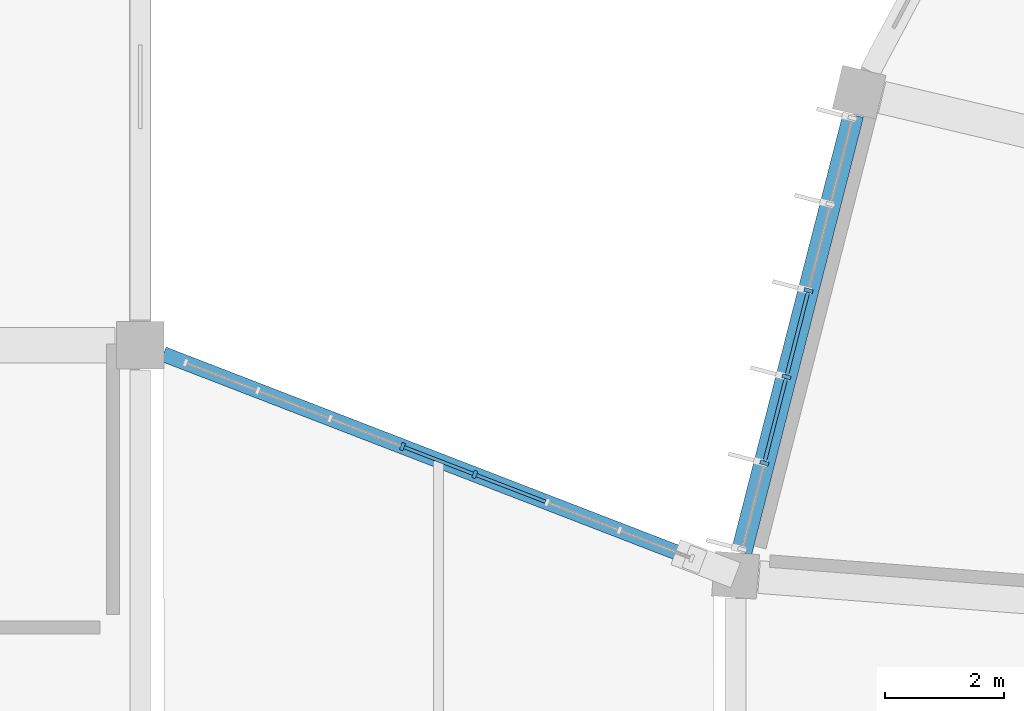
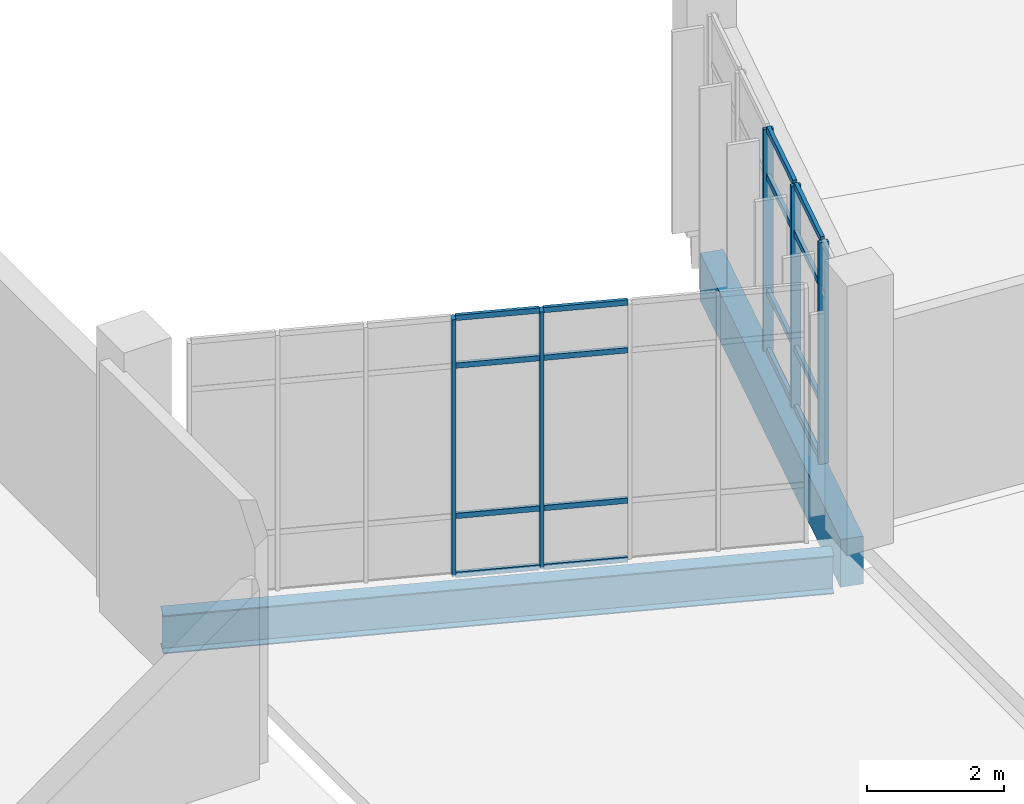
# One storey, part 8 of 179: 21 members, 2 beams, 2 elements without a shape of their own.
"""IFC4 building model written with IfcOpenShell, lengths in metres."""

from ifc_helpers import new_model, si_unit, direction, frame, origin, origin_2d, place, context, subcontext, project, spatial, rectangle, i_section, extrude, material, layer, layer_set, material_profile, profile_set, type_object, element, aggregate, save


model = new_model("IFC4")

# Units and contexts
model_context = context("Model", 3, precision=1e-05, world=origin(), true_north=direction((0.0, 1.0)))
body_context = subcontext(model_context, "Body", "Model", "MODEL_VIEW")
ifc_project = project(units=[si_unit("LENGTHUNIT", "METRE"), si_unit("AREAUNIT", "SQUARE_METRE"), si_unit("VOLUMEUNIT", "CUBIC_METRE"), si_unit("PLANEANGLEUNIT", "RADIAN"), si_unit("MASSUNIT", "GRAM", prefix="KILO")], contexts=[model_context])

# Site, building, storey
site_placement = place(None, origin())
site = spatial("IfcSite", under=ifc_project, at=site_placement, CompositionType="ELEMENT")
building_placement = place(site_placement, origin())
building = spatial("IfcBuilding", under=site, at=building_placement, Name="Corvandel Quay Wholesale Market", CompositionType="ELEMENT")
storey_placement = place(building_placement, frame((0.0, 0.0, 6.0)))
storey = spatial("IfcBuildingStorey", under=building, at=storey_placement, Name="L01", CompositionType="ELEMENT", Elevation=6.0)

# Beam
ifc_material_1 = material(Name="Steel A992 Grade 50", Category="steel")
ifc_material_profile_1 = material_profile(ifc_material_1, i_section(OverallWidth=0.25390625, OverallDepth=0.68310546875, WebThickness=0.012451171875, FlangeThickness=0.018798828125, at=origin_2d()), Name="W27X94")
ifc_profile_set_1 = profile_set([ifc_material_profile_1], Name="Steel A992 Grade 50")
beam_type_1 = type_object("IfcBeamType", Name="Bridge Link Steel Girder SG01 W27X94", PredefinedType="USERDEFINED", material=ifc_profile_set_1)
beam_1_placement = place(storey_placement, frame((50.38720703125, 49.8505859375, -0.5615234375), z_axis=(0.932814688877, -0.360356429408, 0.0), x_axis=(0.360356429408, 0.932814688877, 0.0)))
element("IfcBeam", 1, at=beam_1_placement, inside=storey, type_object=beam_type_1, Name="Beam BM-1779", ObjectType="GIRDER", PredefinedType="USERDEFINED", context=body_context, shape_type="SweptSolid", body=[
    extrude(i_section(OverallWidth=0.25390625, OverallDepth=0.68310546875, WebThickness=0.012451171875, FlangeThickness=0.018798828125, at=origin_2d()), origin(), (0.0, 0.0, 1.0), 9.915283203125),
])

# Curtain wall, members
ifc_material_2 = material(Name="Bronze anodised aluminium and low-E insulated glazing", Category="aluminium")
ifc_layer_1 = layer(ifc_material_2, 0.14990234375)
ifc_layer_set_1 = layer_set([ifc_layer_1], Name="Bronze anodised aluminium and low-E insulated glazing")
curtain_wall_type_1 = type_object("IfcCurtainWallType", Name="Stick Curtain Wall System CW20 H4800", PredefinedType="NOTDEFINED", material=ifc_layer_set_1)
curtain_wall_1_placement = place(storey_placement, origin())
curtain_wall_1 = element("IfcCurtainWall", 2, at=curtain_wall_1_placement, inside=storey, type_object=curtain_wall_type_1, Name="Curtain Wall CW-0173", PredefinedType="NOTDEFINED")
ifc_material_3 = material(Name="Anodised aluminium 6063-T6", Category="aluminium")
ifc_material_profile_2 = material_profile(ifc_material_3, rectangle(XDim=0.06005859375, YDim=0.1298828125, at=origin_2d()), Name="ALU-MUL-60x130")
ifc_profile_set_2 = profile_set([ifc_material_profile_2], Name="Anodised aluminium 6063-T6")
member_type_1 = type_object("IfcMemberType", Name="Clerestory Mullion ML03 60x130", PredefinedType="MULLION", material=ifc_profile_set_2)
member_1_placement = place(storey_placement, frame((54.404296875, 48.298583984375, -0.030029296875), z_axis=(0.0, 0.0, 1.0), x_axis=(-0.932827815397, 0.3603224484, 0.0)))
member_1 = element("IfcMember", 3, at=member_1_placement, type_object=member_type_1, Name="Mullion CW-0173-M03", PredefinedType="MULLION", context=body_context, shape_type="SweptSolid", body=[
    extrude(rectangle(XDim=0.06005859375, YDim=0.1298828125, at=origin_2d()), origin(), (0.0, 0.0, 1.0), 4.580078125),
])
member_2_placement = place(storey_placement, frame((55.618896484375, 47.829345703125, -0.030029296875), z_axis=(0.0, 0.0, 1.0), x_axis=(-0.932827815397, 0.3603224484, 0.0)))
member_2 = element("IfcMember", 4, at=member_2_placement, type_object=member_type_1, Name="Mullion CW-0173-M04", PredefinedType="MULLION", context=body_context, shape_type="SweptSolid", body=[
    extrude(rectangle(XDim=0.06005859375, YDim=0.1298828125, at=origin_2d()), origin(), (0.0, 0.0, 1.0), 4.580078125),
])
ifc_material_profile_3 = material_profile(ifc_material_3, rectangle(XDim=0.054931640625, YDim=0.094970703125, at=origin_2d()), Name="ALU-TRN-55x95")
ifc_profile_set_3 = profile_set([ifc_material_profile_3], Name="Anodised aluminium 6063-T6")
member_type_2 = type_object("IfcMemberType", Name="Clerestory Transom TR03 55x95", PredefinedType="USERDEFINED", material=ifc_profile_set_3)
member_3_placement = place(storey_placement, frame((54.432373046875, 48.287841796875, -0.030029296875), z_axis=(0.932777109703, -0.36045369136, 0.0), x_axis=(0.36045369136, 0.932777109703, 0.0)))
member_3 = element("IfcMember", 5, at=member_3_placement, type_object=member_type_2, Name="Transom CW-0173-T03-0", ObjectType="TRANSOM", PredefinedType="USERDEFINED", context=body_context, shape_type="SweptSolid", body=[
    extrude(rectangle(XDim=0.054931640625, YDim=0.094970703125, at=origin_2d()), origin(), (0.0, 0.0, 1.0), 1.2421875),
])
member_4_placement = place(storey_placement, frame((54.432373046875, 48.287841796875, 1.02001953125), z_axis=(0.932777109703, -0.36045369136, 0.0), x_axis=(0.36045369136, 0.932777109703, 0.0)))
member_4 = element("IfcMember", 6, at=member_4_placement, type_object=member_type_2, Name="Transom CW-0173-T03-1", ObjectType="TRANSOM", PredefinedType="USERDEFINED", context=body_context, shape_type="SweptSolid", body=[
    extrude(rectangle(XDim=0.054931640625, YDim=0.094970703125, at=origin_2d()), origin(), (0.0, 0.0, 1.0), 1.2421875),
])
member_5_placement = place(storey_placement, frame((54.432373046875, 48.287841796875, 3.699951171875), z_axis=(0.932777109703, -0.36045369136, 0.0), x_axis=(0.36045369136, 0.932777109703, 0.0)))
member_5 = element("IfcMember", 7, at=member_5_placement, type_object=member_type_2, Name="Transom CW-0173-T03-2", ObjectType="TRANSOM", PredefinedType="USERDEFINED", context=body_context, shape_type="SweptSolid", body=[
    extrude(rectangle(XDim=0.054931640625, YDim=0.094970703125, at=origin_2d()), origin(), (0.0, 0.0, 1.0), 1.2421875),
])
member_6_placement = place(storey_placement, frame((54.432373046875, 48.287841796875, 4.550048828125), z_axis=(0.932777109703, -0.36045369136, 0.0), x_axis=(0.36045369136, 0.932777109703, 0.0)))
member_6 = element("IfcMember", 8, at=member_6_placement, type_object=member_type_2, Name="Transom CW-0173-T03-3", ObjectType="TRANSOM", PredefinedType="USERDEFINED", context=body_context, shape_type="SweptSolid", body=[
    extrude(rectangle(XDim=0.054931640625, YDim=0.094970703125, at=origin_2d()), origin(), (0.0, 0.0, 1.0), 1.2421875),
])
member_7_placement = place(storey_placement, frame((55.64697265625, 47.818603515625, -0.030029296875), z_axis=(0.932843179843, -0.360282669332, 0.0), x_axis=(0.360282669332, 0.932843179843, 0.0)))
member_7 = element("IfcMember", 9, at=member_7_placement, type_object=member_type_2, Name="Transom CW-0173-T04-0", ObjectType="TRANSOM", PredefinedType="USERDEFINED", context=body_context, shape_type="SweptSolid", body=[
    extrude(rectangle(XDim=0.054931640625, YDim=0.094970703125, at=origin_2d()), origin(), (0.0, 0.0, 1.0), 1.2421875),
])
member_8_placement = place(storey_placement, frame((55.64697265625, 47.818603515625, 1.02001953125), z_axis=(0.932843179843, -0.360282669332, 0.0), x_axis=(0.360282669332, 0.932843179843, 0.0)))
member_8 = element("IfcMember", 10, at=member_8_placement, type_object=member_type_2, Name="Transom CW-0173-T04-1", ObjectType="TRANSOM", PredefinedType="USERDEFINED", context=body_context, shape_type="SweptSolid", body=[
    extrude(rectangle(XDim=0.054931640625, YDim=0.094970703125, at=origin_2d()), origin(), (0.0, 0.0, 1.0), 1.2421875),
])
member_9_placement = place(storey_placement, frame((55.64697265625, 47.818603515625, 3.699951171875), z_axis=(0.932843179843, -0.360282669332, 0.0), x_axis=(0.360282669332, 0.932843179843, 0.0)))
member_9 = element("IfcMember", 11, at=member_9_placement, type_object=member_type_2, Name="Transom CW-0173-T04-2", ObjectType="TRANSOM", PredefinedType="USERDEFINED", context=body_context, shape_type="SweptSolid", body=[
    extrude(rectangle(XDim=0.054931640625, YDim=0.094970703125, at=origin_2d()), origin(), (0.0, 0.0, 1.0), 1.2421875),
])
member_10_placement = place(storey_placement, frame((55.64697265625, 47.818603515625, 4.550048828125), z_axis=(0.932843179843, -0.360282669332, 0.0), x_axis=(0.360282669332, 0.932843179843, 0.0)))
member_10 = element("IfcMember", 12, at=member_10_placement, type_object=member_type_2, Name="Transom CW-0173-T04-3", ObjectType="TRANSOM", PredefinedType="USERDEFINED", context=body_context, shape_type="SweptSolid", body=[
    extrude(rectangle(XDim=0.054931640625, YDim=0.094970703125, at=origin_2d()), origin(), (0.0, 0.0, 1.0), 1.2421875),
])
aggregate(curtain_wall_1, [member_1, member_2, member_3, member_4, member_5, member_6, member_7, member_8, member_9, member_10])

ifc_layer_2 = layer(ifc_material_2, 0.197998046875)
ifc_layer_set_2 = layer_set([ifc_layer_2], Name="Bronze anodised aluminium and low-E insulated glazing")
curtain_wall_type_2 = type_object("IfcCurtainWallType", Name="Stick Curtain Wall System CW19 H4710", PredefinedType="NOTDEFINED", material=ifc_layer_set_2)
curtain_wall_2_placement = place(storey_placement, origin())
curtain_wall_2 = element("IfcCurtainWall", 13, at=curtain_wall_2_placement, inside=storey, type_object=curtain_wall_type_2, Name="Curtain Wall CW-0043", PredefinedType="NOTDEFINED")
ifc_material_profile_4 = material_profile(ifc_material_3, rectangle(XDim=0.06494140625, YDim=0.14990234375, at=origin_2d()), Name="ALU-MUL-65x150")
ifc_profile_set_4 = profile_set([ifc_material_profile_4], Name="Anodised aluminium 6063-T6")
member_type_3 = type_object("IfcMemberType", Name="Curtain Wall Mullion ML02 65x150", PredefinedType="MULLION", material=ifc_profile_set_4)
member_11_placement = place(storey_placement, frame((61.22265625, 50.918212890625, 0.0), z_axis=(0.0, 0.0, 1.0), x_axis=(0.247675453076, 0.968843057437, 0.0)))
member_11 = element("IfcMember", 14, at=member_11_placement, type_object=member_type_3, Name="Mullion CW-0043-M02", PredefinedType="MULLION", context=body_context, shape_type="SweptSolid", body=[
    extrude(rectangle(XDim=0.06494140625, YDim=0.14990234375, at=origin_2d()), origin(), (0.0, 0.0, 1.0), 3.949951171875),
])
member_12_placement = place(storey_placement, frame((60.852294921875, 49.4697265625, 0.0), z_axis=(0.0, 0.0, 1.0), x_axis=(0.247675453076, 0.968843057437, 0.0)))
member_12 = element("IfcMember", 15, at=member_12_placement, type_object=member_type_3, Name="Mullion CW-0043-M03", PredefinedType="MULLION", context=body_context, shape_type="SweptSolid", body=[
    extrude(rectangle(XDim=0.06494140625, YDim=0.14990234375, at=origin_2d()), origin(), (0.0, 0.0, 1.0), 3.949951171875),
])
member_13_placement = place(storey_placement, frame((60.48193359375, 48.021484375, 0.0), z_axis=(0.0, 0.0, 1.0), x_axis=(0.247675453076, 0.968843057437, 0.0)))
member_13 = element("IfcMember", 16, at=member_13_placement, type_object=member_type_3, Name="Mullion CW-0043-M04", PredefinedType="MULLION", context=body_context, shape_type="SweptSolid", body=[
    extrude(rectangle(XDim=0.06494140625, YDim=0.14990234375, at=origin_2d()), origin(), (0.0, 0.0, 1.0), 3.949951171875),
])
ifc_material_profile_5 = material_profile(ifc_material_3, rectangle(XDim=0.06005859375, YDim=0.110107421875, at=origin_2d()), Name="ALU-TRN-60x110")
ifc_profile_set_5 = profile_set([ifc_material_profile_5], Name="Anodised aluminium 6063-T6")
member_type_4 = type_object("IfcMemberType", Name="Curtain Wall Transom TR02 60x110", PredefinedType="USERDEFINED", material=ifc_profile_set_5)
member_14_placement = place(storey_placement, frame((61.214599609375, 50.88671875, 0.0), z_axis=(-0.24771400443, -0.968833201335, 0.0), x_axis=(0.968833201335, -0.24771400443, 0.0)))
member_14 = element("IfcMember", 17, at=member_14_placement, type_object=member_type_4, Name="Transom CW-0043-T02-0", ObjectType="TRANSOM", PredefinedType="USERDEFINED", context=body_context, shape_type="SweptSolid", body=[
    extrude(rectangle(XDim=0.06005859375, YDim=0.110107421875, at=origin_2d()), origin(), (0.0, 0.0, 1.0), 1.43017578125),
])
member_15_placement = place(storey_placement, frame((61.214599609375, 50.88671875, 1.050048828125), z_axis=(-0.24771400443, -0.968833201335, 0.0), x_axis=(0.968833201335, -0.24771400443, 0.0)))
member_15 = element("IfcMember", 18, at=member_15_placement, type_object=member_type_4, Name="Transom CW-0043-T02-1", ObjectType="TRANSOM", PredefinedType="USERDEFINED", context=body_context, shape_type="SweptSolid", body=[
    extrude(rectangle(XDim=0.06005859375, YDim=0.110107421875, at=origin_2d()), origin(), (0.0, 0.0, 1.0), 1.43017578125),
])
member_16_placement = place(storey_placement, frame((61.214599609375, 50.88671875, 3.10009765625), z_axis=(-0.24771400443, -0.968833201335, 0.0), x_axis=(0.968833201335, -0.24771400443, 0.0)))
member_16 = element("IfcMember", 19, at=member_16_placement, type_object=member_type_4, Name="Transom CW-0043-T02-2", ObjectType="TRANSOM", PredefinedType="USERDEFINED", context=body_context, shape_type="SweptSolid", body=[
    extrude(rectangle(XDim=0.06005859375, YDim=0.110107421875, at=origin_2d()), origin(), (0.0, 0.0, 1.0), 1.43017578125),
])
member_17_placement = place(storey_placement, frame((61.214599609375, 50.88671875, 3.949951171875), z_axis=(-0.24771400443, -0.968833201335, 0.0), x_axis=(0.968833201335, -0.24771400443, 0.0)))
member_17 = element("IfcMember", 20, at=member_17_placement, type_object=member_type_4, Name="Transom CW-0043-T02-3", ObjectType="TRANSOM", PredefinedType="USERDEFINED", context=body_context, shape_type="SweptSolid", body=[
    extrude(rectangle(XDim=0.06005859375, YDim=0.110107421875, at=origin_2d()), origin(), (0.0, 0.0, 1.0), 1.43017578125),
])
member_18_placement = place(storey_placement, frame((60.84423828125, 49.438232421875, 0.0), z_axis=(-0.247754982566, -0.968822723006, 0.0), x_axis=(0.968822723006, -0.247754982566, 0.0)))
member_18 = element("IfcMember", 21, at=member_18_placement, type_object=member_type_4, Name="Transom CW-0043-T03-0", ObjectType="TRANSOM", PredefinedType="USERDEFINED", context=body_context, shape_type="SweptSolid", body=[
    extrude(rectangle(XDim=0.06005859375, YDim=0.110107421875, at=origin_2d()), origin(), (0.0, 0.0, 1.0), 1.429931640625),
])
member_19_placement = place(storey_placement, frame((60.84423828125, 49.438232421875, 1.050048828125), z_axis=(-0.247754982566, -0.968822723006, 0.0), x_axis=(0.968822723006, -0.247754982566, 0.0)))
member_19 = element("IfcMember", 22, at=member_19_placement, type_object=member_type_4, Name="Transom CW-0043-T03-1", ObjectType="TRANSOM", PredefinedType="USERDEFINED", context=body_context, shape_type="SweptSolid", body=[
    extrude(rectangle(XDim=0.06005859375, YDim=0.110107421875, at=origin_2d()), origin(), (0.0, 0.0, 1.0), 1.429931640625),
])
member_20_placement = place(storey_placement, frame((60.84423828125, 49.438232421875, 3.10009765625), z_axis=(-0.247754982566, -0.968822723006, 0.0), x_axis=(0.968822723006, -0.247754982566, 0.0)))
member_20 = element("IfcMember", 23, at=member_20_placement, type_object=member_type_4, Name="Transom CW-0043-T03-2", ObjectType="TRANSOM", PredefinedType="USERDEFINED", context=body_context, shape_type="SweptSolid", body=[
    extrude(rectangle(XDim=0.06005859375, YDim=0.110107421875, at=origin_2d()), origin(), (0.0, 0.0, 1.0), 1.429931640625),
])
member_21_placement = place(storey_placement, frame((60.84423828125, 49.438232421875, 3.949951171875), z_axis=(-0.247754982566, -0.968822723006, 0.0), x_axis=(0.968822723006, -0.247754982566, 0.0)))
member_21 = element("IfcMember", 24, at=member_21_placement, type_object=member_type_4, Name="Transom CW-0043-T03-3", ObjectType="TRANSOM", PredefinedType="USERDEFINED", context=body_context, shape_type="SweptSolid", body=[
    extrude(rectangle(XDim=0.06005859375, YDim=0.110107421875, at=origin_2d()), origin(), (0.0, 0.0, 1.0), 1.429931640625),
])
aggregate(curtain_wall_2, [member_11, member_12, member_13, member_14, member_15, member_16, member_17, member_18, member_19, member_20, member_21])

# Beam
ifc_material_4 = material(Name="Precast concrete C45/55", Category="concrete")
ifc_material_profile_6 = material_profile(ifc_material_4, rectangle(XDim=0.35009765625, YDim=0.85009765625, at=origin_2d()), Name="PC-SPN-350x850")
ifc_profile_set_6 = profile_set([ifc_material_profile_6], Name="Precast concrete C45/55")
beam_type_2 = type_object("IfcBeamType", Name="Perimeter Precast Spandrel SP01 350x850", PredefinedType="SPANDREL", material=ifc_profile_set_6)
beam_2_placement = place(storey_placement, frame((61.97705078125, 53.868408203125, -0.72509765625), z_axis=(-0.247742619066, -0.968825884614, 0.0), x_axis=(0.968825884614, -0.247742619066, 0.0)))
element("IfcBeam", 25, at=beam_2_placement, inside=storey, type_object=beam_type_2, Name="Beam BM-0179", PredefinedType="SPANDREL", context=body_context, shape_type="SweptSolid", body=[
    extrude(rectangle(XDim=0.35009765625, YDim=0.85009765625, at=origin_2d()), origin(), (0.0, 0.0, 1.0), 7.585205078125),
])

save(model, "model.ifc")
